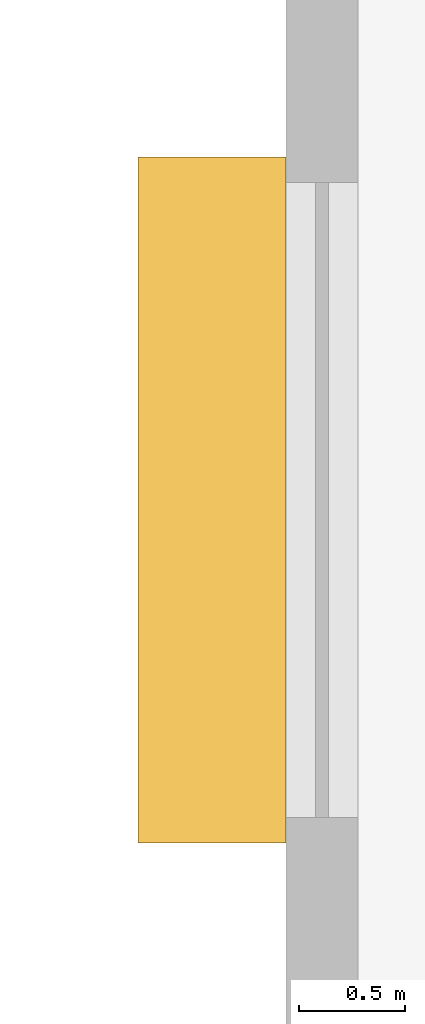
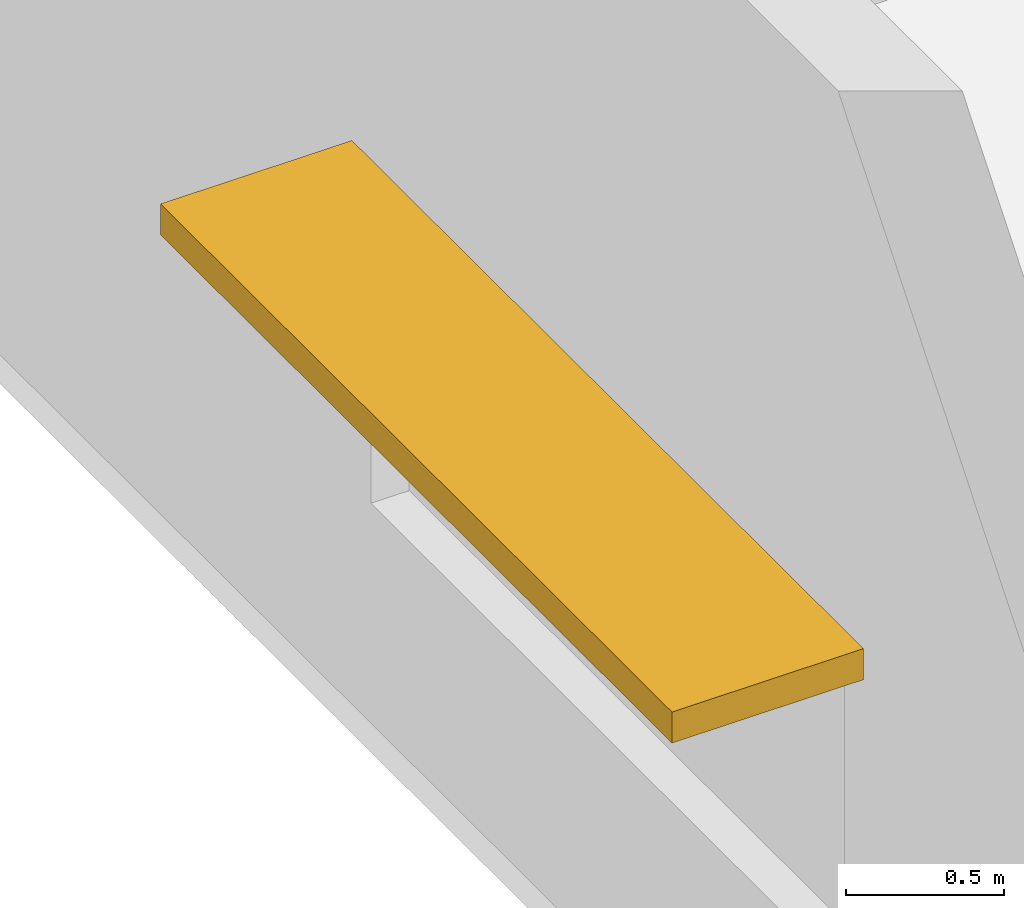
# One storey, part 135 of 136: 1 shading device.
"""IFC4 building model written with IfcOpenShell, lengths in metres."""

from ifc_helpers import new_model, si_unit, direction, frame, origin, origin_2d, place, context, subcontext, project, spatial, rectangle, extrude, material, layer, layer_set, type_object, element, save


model = new_model("IFC4")

# Units and contexts
model_context = context("Model", 3, precision=1e-05, world=origin(), true_north=direction((0.0, 1.0)))
body_context = subcontext(model_context, "Body", "Model", "MODEL_VIEW")
ifc_project = project(units=[si_unit("LENGTHUNIT", "METRE"), si_unit("AREAUNIT", "SQUARE_METRE"), si_unit("VOLUMEUNIT", "CUBIC_METRE"), si_unit("PLANEANGLEUNIT", "RADIAN"), si_unit("MASSUNIT", "GRAM", prefix="KILO")], contexts=[model_context])

# Site, building, storey
site_placement = place(None, origin())
site = spatial("IfcSite", under=ifc_project, at=site_placement, CompositionType="ELEMENT")
building_placement = place(site_placement, origin())
building = spatial("IfcBuilding", under=site, at=building_placement, Name="Oolite Switchyard Hospital", CompositionType="ELEMENT")
storey_placement = place(building_placement, origin())
storey = spatial("IfcBuildingStorey", under=building, at=storey_placement, Name="L00", CompositionType="ELEMENT", Elevation=0.0)

# Shading device
ifc_material = material(Name="Precast oolitic limestone architectural concrete C40/50", Category="masonry")
ifc_layer = layer(ifc_material, 0.1201171875)
ifc_layer_set = layer_set([ifc_layer], Name="SHD-BRISE-900")
shading_device_type = type_object("IfcShadingDeviceType", Name="SHD-BRISE-900", PredefinedType="AWNING", material=ifc_layer_set)
shading_device_placement = place(storey_placement, frame((-0.52001953125, 130.1201171875, 2.06005859375), z_axis=(0.0, 0.0, 1.0), x_axis=(0.0, 1.0, 0.0)))
element("IfcShadingDevice", 1, at=shading_device_placement, inside=storey, type_object=shading_device_type, Name="L00 Classical Brise-Soleil Sunshade 10", PredefinedType="AWNING", context=body_context, shape_type="SweptSolid", body=[
    extrude(rectangle(XDim=3.239990234375, YDim=0.699951171875, at=origin_2d()), origin(), (0.0, 0.0, 1.0), 0.1201171875),
])

save(model, "model.ifc")
